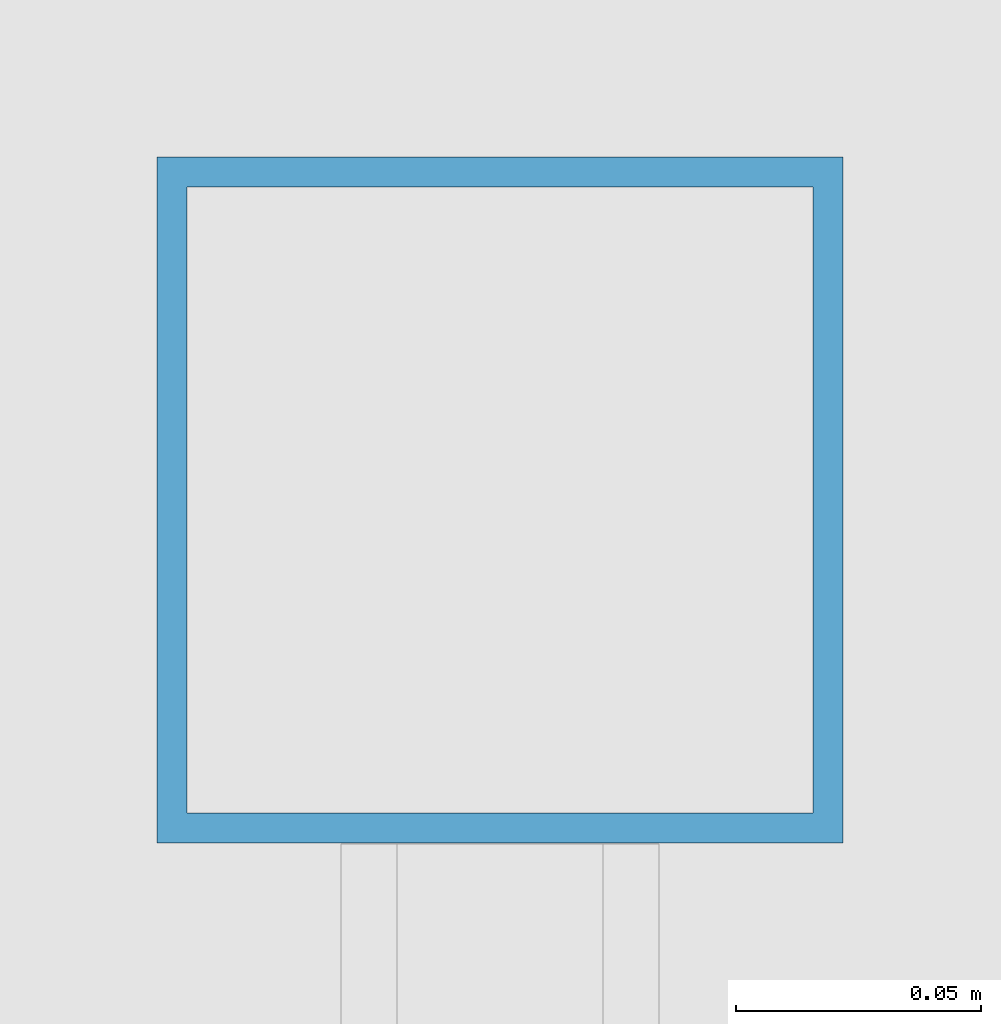
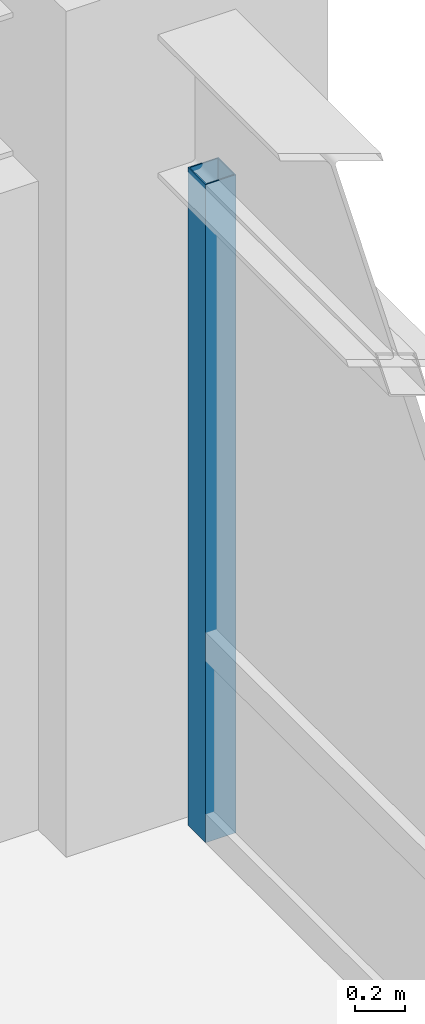
# One storey, part 16 of 27: 1 member, 1 element without a shape of its own.
"""IFC4 building model written with IfcOpenShell, lengths in metres."""

from ifc_helpers import new_model, si_unit, direction, frame, origin, origin_2d, place, context, subcontext, project, spatial, hollow_rectangle, extrude, source, transform, mapped, material, material_profile, profile_set, type_object, element, aggregate, save


model = new_model("IFC4")

# Units and contexts
model_context = context("Model", 3, precision=1e-05, world=origin(), true_north=direction((0.0, 1.0)))
body_context = subcontext(model_context, "Body", "Model", "MODEL_VIEW")
ifc_project = project(units=[si_unit("LENGTHUNIT", "METRE"), si_unit("AREAUNIT", "SQUARE_METRE"), si_unit("VOLUMEUNIT", "CUBIC_METRE"), si_unit("PLANEANGLEUNIT", "RADIAN"), si_unit("MASSUNIT", "GRAM", prefix="KILO")], contexts=[model_context])

# Site, building, storey
site_placement = place(None, origin())
site = spatial("IfcSite", under=ifc_project, at=site_placement, CompositionType="ELEMENT")
building_placement = place(site_placement, origin())
building = spatial("IfcBuilding", under=site, at=building_placement, Name="Khorayat Bourse Tower", CompositionType="ELEMENT")
storey_placement = place(building_placement, frame((0.0, 0.0, 103.699951171875)))
storey = spatial("IfcBuildingStorey", under=building, at=storey_placement, Name="L23", CompositionType="ELEMENT", Elevation=103.699951171875)

# Curtain wall, member
ifc_material = material(Name="Aluminium EN AW-6063 T6", Category="aluminium")
curtain_wall_type = type_object("IfcCurtainWallType", Name="CW-SYS-02", PredefinedType="NOTDEFINED", material=ifc_material)
curtain_wall_placement = place(storey_placement, origin())
curtain_wall = element("IfcCurtainWall", 1, at=curtain_wall_placement, inside=storey, type_object=curtain_wall_type, Name="L23 Curtain Wall CW-L23-E1", PredefinedType="NOTDEFINED")
ifc_material_profile = material_profile(ifc_material, hollow_rectangle(XDim=0.139892578125, YDim=0.139892578125, WallThickness=0.006103515625, at=origin_2d()), Name="ALU 140x140x6")
ifc_profile_set = profile_set([ifc_material_profile], Name="Aluminium EN AW-6063 T6")
member_type = type_object("IfcMemberType", Name="CWM-VERT-140", PredefinedType="MULLION", material=ifc_profile_set)
shared_shape = source(origin(), body_context, "Body", "SweptSolid", [
    extrude(hollow_rectangle(XDim=0.139892578125, YDim=0.139892578125, WallThickness=0.006103515625, at=origin_2d()), origin(), (0.0, 0.0, 1.0), 3.18994140625),
])
member_placement = place(storey_placement, frame((32.0, 27.280029296875, 0.0), z_axis=(0.0, 0.0, 1.0), x_axis=(-1.0, 0.0, 0.0)))
member = element("IfcMember", 2, at=member_placement, type_object=member_type, Name="CW-L23-E1 Vertical Mullion 3", PredefinedType="MULLION", context=body_context, shape_type="MappedRepresentation", body=[
    mapped(shared_shape, transform((0.0, 0.0, 0.0), scale=1.0)),
])
aggregate(curtain_wall, [member])

save(model, "model.ifc")
